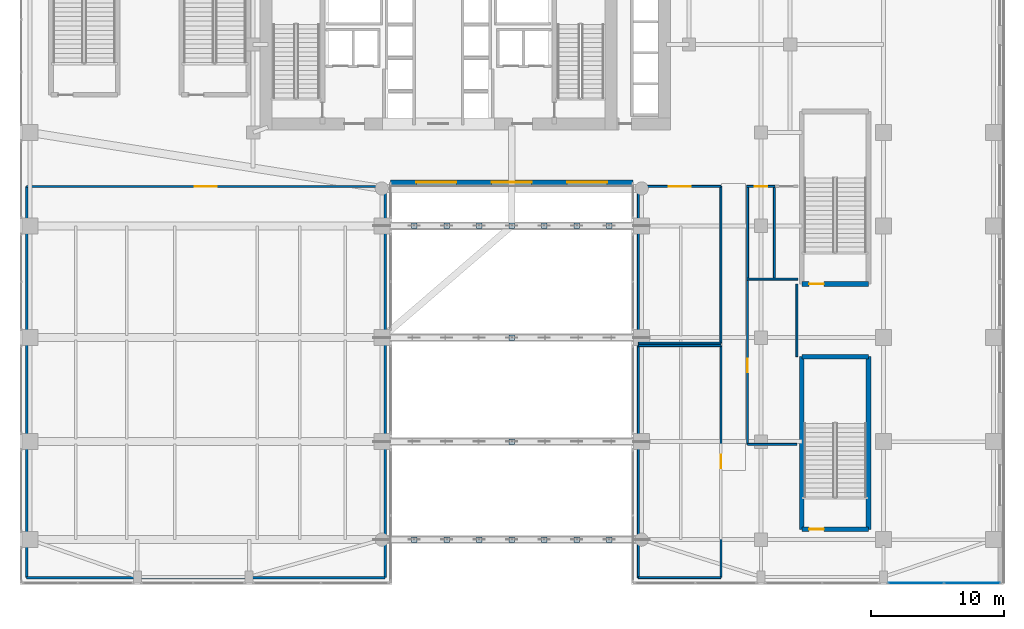
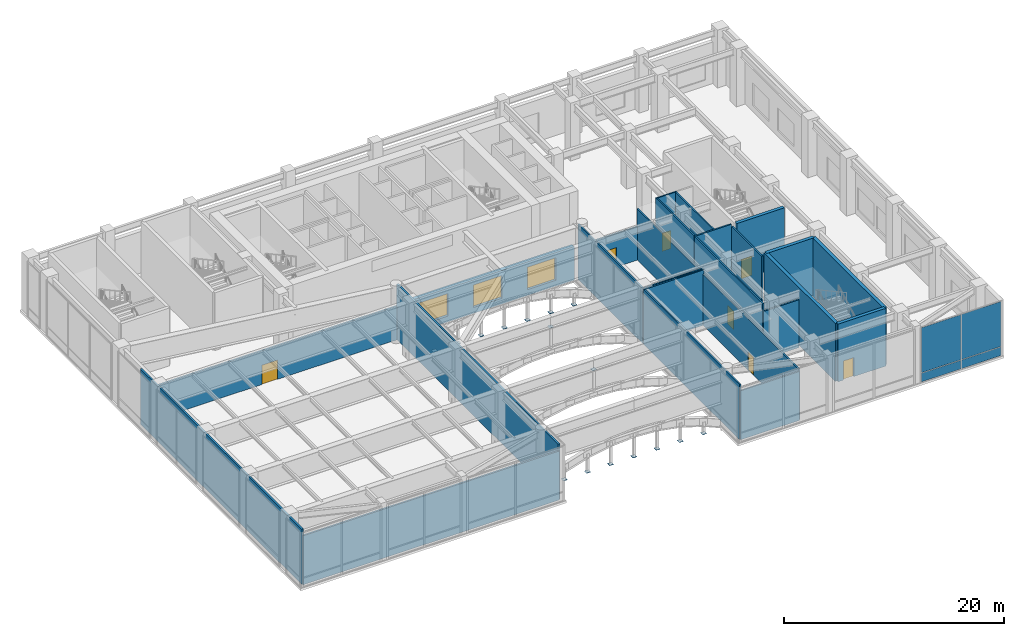
# One storey, part 39 of 50: 25 walls, 20 plates, 7 doors, 3 windows, 10 openings, 1 element without a shape of its own.
"""IFC4 building model written with IfcOpenShell, lengths in metres."""

import ifcopenshell
import ifcopenshell.guid

model = None  # the IFC model being written
_history = None  # IfcOwnerHistory: only IFC2X3 demands one
_inside = {}  # id of a spatial element -> (the spatial element, [elements in it])
_under = {}  # id of a project, library or spatial element -> (it, [spatial elements below it])
_declared = {}  # id of a project -> (the project, [libraries it declares])
_typed = {}  # id of a type object -> (the type object, [elements of that type])
_made_of = {}  # id of a material, layer set ... -> (it, [elements and type objects made of it])


def new_model(schema):
    """Start an empty IFC model of exactly this schema.

    Asked for "IFC4X3", IfcOpenShell would pick the latest addendum, in which some entities
    have other attributes; the version numbers below select the first issue.
    IFC2X3 requires an IfcOwnerHistory on every rooted entity: one is made here for all.
    """
    global model, _history
    if schema == "IFC4X3":
        model = ifcopenshell.file(schema_version=(4, 3, 0, 0))
    else:
        model = ifcopenshell.file(schema=schema)
    _inside.clear()
    _under.clear()
    _declared.clear()
    _typed.clear()
    _made_of.clear()
    _history = None
    if model.schema == "IFC2X3":
        org = make("IfcOrganization", Name="unknown")
        user = make(
            "IfcPersonAndOrganization",
            ThePerson=make("IfcPerson", FamilyName="unknown"),
            TheOrganization=org,
        )
        app = make(
            "IfcApplication",
            ApplicationDeveloper=org,
            Version="unknown",
            ApplicationFullName="unknown",
            ApplicationIdentifier="unknown",
        )
        _history = make(
            "IfcOwnerHistory",
            OwningUser=user,
            OwningApplication=app,
            ChangeAction="ADDED",
            CreationDate=0,
        )
    return model


def make(cls, **values):
    """One entity of the class cls with the attributes given. An attribute that is None is left unset."""
    return model.create_entity(
        cls, **{name: value for name, value in values.items() if value is not None}
    )


def rooted(cls, **values):
    """An entity with a GlobalId (a new one), such as an element, a storey or a relation."""
    return make(cls, GlobalId=ifcopenshell.guid.new(), OwnerHistory=_history, **values)


def si_unit(unit_type, name, prefix=None):
    """IfcSIUnit, for example si_unit("LENGTHUNIT", "METRE", prefix="MILLI")."""
    return make("IfcSIUnit", UnitType=unit_type, Prefix=prefix, Name=name)


def assignment(units):
    """IfcUnitAssignment: the units of a project."""
    return None if units is None else make("IfcUnitAssignment", Units=units)


def point(xyz):
    """IfcCartesianPoint."""
    return None if xyz is None else make("IfcCartesianPoint", Coordinates=xyz)


def direction(xyz):
    """IfcDirection."""
    return None if xyz is None else make("IfcDirection", DirectionRatios=xyz)


def frame(location, z_axis=None, x_axis=None):
    """IfcAxis2Placement3D, a coordinate frame: its origin and axes. An axis left out is left unset."""
    return make(
        "IfcAxis2Placement3D",
        Location=point(location),
        Axis=direction(z_axis),
        RefDirection=direction(x_axis),
    )


def frame_2d(location, x_axis=None):
    """IfcAxis2Placement2D, a coordinate frame in the plane: its origin and x axis."""
    return make(
        "IfcAxis2Placement2D", Location=point(location), RefDirection=direction(x_axis)
    )


def origin():
    """The frame at (0, 0, 0) with its axes left unset."""
    return frame((0.0, 0.0, 0.0))


def origin_2d():
    """The frame at (0, 0) in the plane with its x axis left unset."""
    return frame_2d((0.0, 0.0))


def place(relative_to, where):
    """IfcLocalPlacement: puts the frame where relative to a parent placement (None: the world)."""
    return make(
        "IfcLocalPlacement", PlacementRelTo=relative_to, RelativePlacement=where
    )


def context(
    kind, dimensions, precision=None, world=None, true_north=None, identifier=None
):
    """IfcGeometricRepresentationContext, for example the 3D "Model" context."""
    return make(
        "IfcGeometricRepresentationContext",
        ContextIdentifier=identifier,
        ContextType=kind,
        CoordinateSpaceDimension=dimensions,
        Precision=precision,
        WorldCoordinateSystem=world,
        TrueNorth=true_north,
    )


def subcontext(parent, identifier, kind, view, scale=None):
    """IfcGeometricRepresentationSubContext, for example "Body" below "Model"."""
    return make(
        "IfcGeometricRepresentationSubContext",
        ContextIdentifier=identifier,
        ContextType=kind,
        ParentContext=parent,
        TargetScale=scale,
        TargetView=view,
    )


def project(units=None, contexts=None):
    """IfcProject with its units and contexts."""
    return rooted(
        "IfcProject",
        Name="project",
        RepresentationContexts=contexts,
        UnitsInContext=assignment(units),
    )


def spatial(cls, under=None, at=None, **own):
    """A site, building, storey or space (cls), placed at a placement, below another one or the project."""
    s = rooted(cls, ObjectPlacement=at, **own)
    if under is not None:
        _under.setdefault(under.id(), (under, []))[1].append(s)
    return s


def profile(cls, at=None, kind="AREA", **sizes):
    """A parametric profile (cls). Its sizes go by their IFC names, for example OverallWidth=200.0."""
    return make(cls, ProfileType=kind, Position=at, **sizes)


def rectangle(**sizes):
    """IfcRectangleProfileDef."""
    return profile("IfcRectangleProfileDef", **sizes)


def extrude(swept, where, along, depth):
    """IfcExtrudedAreaSolid: the profile swept, set in the frame where, extruded along a direction by depth."""
    return make(
        "IfcExtrudedAreaSolid",
        SweptArea=swept,
        Position=where,
        ExtrudedDirection=direction(along),
        Depth=depth,
    )


def shape(context_of_items, identifier, shape_type, items):
    """IfcShapeRepresentation: the items that make up one representation, for example the "Body"."""
    return make(
        "IfcShapeRepresentation",
        ContextOfItems=context_of_items,
        RepresentationIdentifier=identifier,
        RepresentationType=shape_type,
        Items=items,
    )


def source(mapping_origin, context_of_items, identifier, shape_type, items):
    """IfcRepresentationMap: a shape defined once, which mapped items show again and again."""
    return make(
        "IfcRepresentationMap",
        MappingOrigin=mapping_origin,
        MappedRepresentation=shape(context_of_items, identifier, shape_type, items),
    )


def transform(
    local_origin,
    x_axis=None,
    y_axis=None,
    z_axis=None,
    scale=None,
    scale2=None,
    scale3=None,
    uniform=True,
):
    """IfcCartesianTransformationOperator3D, or its non-uniform kind. x_axis, y_axis, z_axis: its Axis1, 2, 3."""
    if uniform:
        return make(
            "IfcCartesianTransformationOperator3D",
            Axis1=direction(x_axis),
            Axis2=direction(y_axis),
            LocalOrigin=point(local_origin),
            Scale=scale,
            Axis3=direction(z_axis),
        )
    return make(
        "IfcCartesianTransformationOperator3DnonUniform",
        Axis1=direction(x_axis),
        Axis2=direction(y_axis),
        LocalOrigin=point(local_origin),
        Scale=scale,
        Axis3=direction(z_axis),
        Scale2=scale2,
        Scale3=scale3,
    )


def mapped(mapping_source, mapping_target):
    """IfcMappedItem: shows the shape of a source again, moved by a transform."""
    return make(
        "IfcMappedItem", MappingSource=mapping_source, MappingTarget=mapping_target
    )


def material(Name=None, Category=None):
    """IfcMaterial."""
    return make("IfcMaterial", Name=Name, Category=Category)


def layer(
    of_material, thickness, ventilated=None, Name=None, Category=None, Priority=None
):
    """IfcMaterialLayer: one layer of a wall or slab, of a material (None: an air gap)."""
    return make(
        "IfcMaterialLayer",
        Material=of_material,
        LayerThickness=thickness,
        IsVentilated=ventilated,
        Name=Name,
        Category=Category,
        Priority=Priority,
    )


def layer_set(layers, Name=None):
    """IfcMaterialLayerSet."""
    return make("IfcMaterialLayerSet", MaterialLayers=layers, LayerSetName=Name)


def made_of(thing, what):
    """Note that an element or type object is made of a material, layer set ...; save() writes the relation."""
    if what is not None:
        _made_of.setdefault(what.id(), (what, []))[1].append(thing)
    return thing


def type_object(cls, material=None, **own):
    """A type object (cls), such as IfcWallType, which elements share."""
    return made_of(rooted(cls, **own), material)


def type_shapes(of_type, sources):
    """Give a type object the sources (RepresentationMaps) that its elements show as mapped items."""
    of_type.RepresentationMaps = sources


def element(
    cls,
    number,
    at=None,
    inside=None,
    cuts=None,
    type_object=None,
    material=None,
    context=None,
    identifier="Body",
    shape_type=None,
    held_by="IfcProductDefinitionShape",
    body=None,
    shapes=None,
    **own,
):
    """One element of the class cls, such as IfcWall. Its Tag is "e" and its number.

    at: its placement. inside: the storey or other place that contains it. cuts: it is an
    opening in that element (IfcRelVoidsElement). A single representation is given by context,
    identifier, shape_type and body (its items); several are given by shapes. held_by: the class
    of the entity that holds the representations. save() writes the other relations.
    """
    e = rooted(cls, Tag="e%d" % number, ObjectPlacement=at, **own)
    if body is not None:
        shapes = [shape(context, identifier, shape_type, body)]
    if shapes is not None:
        e.Representation = make(held_by, Representations=shapes)
    if inside is not None:
        _inside.setdefault(inside.id(), (inside, []))[1].append(e)
    if cuts is not None:
        rooted(
            "IfcRelVoidsElement", RelatingBuildingElement=cuts, RelatedOpeningElement=e
        )
    if type_object is not None:
        _typed.setdefault(type_object.id(), (type_object, []))[1].append(e)
    return made_of(e, material)


def fill(opening, filler):
    """IfcRelFillsElement: the door or window that sits in an opening."""
    return rooted(
        "IfcRelFillsElement",
        RelatingOpeningElement=opening,
        RelatedBuildingElement=filler,
    )


def aggregate(whole, parts):
    """IfcRelAggregates: a whole, such as a stair, and the parts it consists of."""
    return rooted("IfcRelAggregates", RelatingObject=whole, RelatedObjects=parts)


def save(model, path):
    """Write the relations noted so far, then the file.

    IfcRelAggregates (storeys below a building ...), IfcRelContainedInSpatialStructure (elements
    in a storey), IfcRelDefinesByType, IfcRelAssociatesMaterial and IfcRelDeclares: one each for
    every whole, place, type object, material and project.
    """
    for whole, parts in _under.values():
        aggregate(whole, parts)
    for where, things in _inside.values():
        rooted(
            "IfcRelContainedInSpatialStructure",
            RelatedElements=things,
            RelatingStructure=where,
        )
    for kind, things in _typed.values():
        rooted("IfcRelDefinesByType", RelatedObjects=things, RelatingType=kind)
    for what, things in _made_of.values():
        rooted("IfcRelAssociatesMaterial", RelatedObjects=things, RelatingMaterial=what)
    for by, libraries in _declared.values():
        rooted("IfcRelDeclares", RelatingContext=by, RelatedDefinitions=libraries)
    model.write(path)


model = new_model("IFC4")

# Units and contexts
model_context = context("Model", 3, precision=1e-05, world=origin(), true_north=direction((0.0, 1.0)))
body_context = subcontext(model_context, "Body", "Model", "MODEL_VIEW")
ifc_project = project(units=[si_unit("LENGTHUNIT", "METRE"), si_unit("AREAUNIT", "SQUARE_METRE"), si_unit("VOLUMEUNIT", "CUBIC_METRE"), si_unit("PLANEANGLEUNIT", "RADIAN"), si_unit("MASSUNIT", "GRAM", prefix="KILO")], contexts=[model_context])

# Site, building, storey
site_placement = place(None, origin())
site = spatial("IfcSite", under=ifc_project, at=site_placement, CompositionType="ELEMENT")
building_placement = place(site_placement, origin())
building = spatial("IfcBuilding", under=site, at=building_placement, Name="Tolvann Quenvar Hotel", CompositionType="ELEMENT")
storey_placement = place(building_placement, frame((0.0, 0.0, 16.0)))
storey = spatial("IfcBuildingStorey", under=building, at=storey_placement, Name="L03", CompositionType="ELEMENT", Elevation=16.0)

# Plates
ifc_material_1 = material(Name="Steel Grade 350", Category="steel")
ifc_layer_1 = layer(ifc_material_1, 0.02490234375)
ifc_layer_set_1 = layer_set([ifc_layer_1], Name="Steel Grade 350")
plate_type_1 = type_object("IfcPlateType", Name="PLT_ENDCAP_25", PredefinedType="SHEET", material=ifc_layer_set_1)
shared_shape_1 = source(origin(), body_context, "Body", "SweptSolid", [
    extrude(rectangle(XDim=0.419921875, YDim=0.419921875, at=origin_2d()), origin(), (0.0, 0.0, 1.0), 0.02490234375),
])
type_shapes(plate_type_1, [shared_shape_1])
for number, where, z_axis, x_axis, name in (
    (1, (21.1875, 0.85009765625, -0.2724609375), (0.0, 0.0, 1.0), (1.0, 0.0, 0.0), "Arch Spandrel Post Top Cap Plate (F1-B1)"),
    (2, (23.625, 0.85009765625, -0.2724609375), (0.0, 0.0, 1.0), (1.0, 0.0, 0.0), "Arch Spandrel Post Top Cap Plate (F1-B2)"),
    (3, (26.0625, 0.85009765625, -0.2724609375), (0.0, 0.0, 1.0), (1.0, 0.0, 0.0), "Arch Spandrel Post Top Cap Plate (F1-B3)"),
    (4, (28.5, 0.85009765625, -0.2724609375), (0.0, 0.0, 1.0), (1.0, 0.0, 0.0), "Arch Spandrel Post Top Cap Plate (F1-B4)"),
    (5, (30.9375, 0.85009765625, -0.2724609375), (0.0, 0.0, 1.0), (1.0, 0.0, 0.0), "Arch Spandrel Post Top Cap Plate (F1-B5)"),
    (6, (33.375, 0.85009765625, -0.2724609375), (0.0, 0.0, 1.0), (1.0, 0.0, 0.0), "Arch Spandrel Post Top Cap Plate (F1-B6)"),
    (7, (35.8125, 0.85009765625, -0.2724609375), (0.0, 0.0, 1.0), (1.0, 0.0, 0.0), "Arch Spandrel Post Top Cap Plate (F1-B7)"),
    (8, (28.5, 8.199951171875, 4.927490234375), (0.0, 0.0, 1.0), (1.0, 0.0, 0.0), "Arch Crown Post Top Plate (F2)"),
    (9, (28.5, 16.0, 4.927490234375), (0.0, 0.0, 1.0), (1.0, 0.0, 0.0), "Arch Crown Post Top Plate (F3)"),
    (10, (21.1875, 24.39990234375, -0.2724609375), (0.0, 0.0, 1.0), (1.0, 0.0, 0.0), "Arch Spandrel Post Top Cap Plate (F4-B1)"),
    (11, (23.625, 24.39990234375, -0.2724609375), (0.0, 0.0, 1.0), (1.0, 0.0, 0.0), "Arch Spandrel Post Top Cap Plate (F4-B2)"),
    (12, (26.0625, 24.39990234375, -0.2724609375), (0.0, 0.0, 1.0), (1.0, 0.0, 0.0), "Arch Spandrel Post Top Cap Plate (F4-B3)"),
    (13, (28.5, 24.39990234375, -0.2724609375), (0.0, 0.0, 1.0), (1.0, 0.0, 0.0), "Arch Spandrel Post Top Cap Plate (F4-B4)"),
    (14, (30.9375, 24.39990234375, -0.2724609375), (0.0, 0.0, 1.0), (1.0, 0.0, 0.0), "Arch Spandrel Post Top Cap Plate (F4-B5)"),
    (15, (33.375, 24.39990234375, -0.2724609375), (0.0, 0.0, 1.0), (1.0, 0.0, 0.0), "Arch Spandrel Post Top Cap Plate (F4-B6)"),
    (16, (35.8125, 24.39990234375, -0.2724609375), (0.0, 0.0, 1.0), (1.0, 0.0, 0.0), "Arch Spandrel Post Top Cap Plate (F4-B7)"),
):
    element("IfcPlate", number, at=place(storey_placement, frame(where, z_axis=z_axis, x_axis=x_axis)), inside=storey, type_object=plate_type_1, Name=name, PredefinedType="SHEET", context=body_context, shape_type="MappedRepresentation", body=[
        mapped(shared_shape_1, transform((0.0, 0.0, 0.0), x_axis=(1.0, 0.0, 0.0), y_axis=(0.0, 1.0, 0.0), z_axis=(0.0, 0.0, 1.0), scale=1.0)),
    ])

# Curtain wall, plates
ifc_material_2 = material(Name="Thermally broken anodised architectural aluminium 6063-T6 and laminated low-E glass", Category="aluminium")
ifc_layer_2 = layer(ifc_material_2, 0.179931640625)
ifc_layer_set_2 = layer_set([ifc_layer_2], Name="Thermally broken anodised architectural aluminium 6063-T6 and laminated low-E glass")
curtain_wall_type = type_object("IfcCurtainWallType", Name="CW_SYS_BALL_02", PredefinedType="USERDEFINED", material=ifc_layer_set_2)
curtain_wall_placement = place(storey_placement, origin())
curtain_wall = element("IfcCurtainWall", 17, at=curtain_wall_placement, inside=storey, type_object=curtain_wall_type, Name="Curtain Wall CW-BALL-02 (CWR-L03-E04-S3)", ObjectType="UNITISED CURTAIN WALL", PredefinedType="USERDEFINED")
ifc_material_3 = material(Name="Low-iron laminated double glazing with solar-control coating", Category="glass")
ifc_layer_3 = layer(ifc_material_3, 0.028076171875)
ifc_layer_set_3 = layer_set([ifc_layer_3], Name="Low-iron laminated double glazing with solar-control coating")
plate_type_2 = type_object("IfcPlateType", Name="CW_PAN_VISION_28", PredefinedType="CURTAIN_PANEL", material=ifc_layer_set_3)
shared_shape_2 = source(origin(), body_context, "Body", "SweptSolid", [
    extrude(rectangle(XDim=4.137939453125, YDim=0.028076171875, at=origin_2d()), origin(), (0.0, 0.0, 1.0), 0.9599609375),
])
plate_1_placement = place(storey_placement, frame((58.843017578125, -2.409912109375, 0.06005859375), z_axis=(0.0, 0.0, 1.0), x_axis=(1.0, 0.0, 0.0)))
plate_1 = element("IfcPlate", 18, at=plate_1_placement, type_object=plate_type_2, Name="CW-BALL-02 panel 1.1", PredefinedType="CURTAIN_PANEL", context=body_context, shape_type="MappedRepresentation", body=[
    mapped(shared_shape_2, transform((0.0, 0.0, 0.0), x_axis=(1.0, 0.0, 0.0), y_axis=(0.0, 1.0, 0.0), z_axis=(0.0, 0.0, 1.0), scale=1.0)),
])
plate_2_placement = place(storey_placement, frame((63.051025390625, -2.409912109375, 0.06005859375), z_axis=(0.0, 0.0, 1.0), x_axis=(1.0, 0.0, 0.0)))
plate_2 = element("IfcPlate", 19, at=plate_2_placement, type_object=plate_type_2, Name="CW-BALL-02 panel 2.1", PredefinedType="CURTAIN_PANEL", context=body_context, shape_type="MappedRepresentation", body=[
    mapped(shared_shape_2, transform((0.0, 0.0, 0.0), x_axis=(1.0, 0.0, 0.0), y_axis=(0.0, 1.0, 0.0), z_axis=(0.0, 0.0, 1.0), scale=1.0)),
])
shared_shape_3 = source(origin(), body_context, "Body", "SweptSolid", [
    extrude(rectangle(XDim=4.137939453125, YDim=0.028076171875, at=origin_2d()), origin(), (0.0, 0.0, 1.0), 5.0),
])
type_shapes(plate_type_2, [shared_shape_2, shared_shape_3])
plate_3_placement = place(storey_placement, frame((58.843017578125, -2.409912109375, 1.080078125), z_axis=(0.0, 0.0, 1.0), x_axis=(1.0, 0.0, 0.0)))
plate_3 = element("IfcPlate", 20, at=plate_3_placement, type_object=plate_type_2, Name="CW-BALL-02 panel 1.2", PredefinedType="CURTAIN_PANEL", context=body_context, shape_type="MappedRepresentation", body=[
    mapped(shared_shape_3, transform((0.0, 0.0, 0.0), x_axis=(1.0, 0.0, 0.0), y_axis=(0.0, 1.0, 0.0), z_axis=(0.0, 0.0, 1.0), scale=1.0)),
])
plate_4_placement = place(storey_placement, frame((63.051025390625, -2.409912109375, 1.080078125), z_axis=(0.0, 0.0, 1.0), x_axis=(1.0, 0.0, 0.0)))
plate_4 = element("IfcPlate", 21, at=plate_4_placement, type_object=plate_type_2, Name="CW-BALL-02 panel 2.2", PredefinedType="CURTAIN_PANEL", context=body_context, shape_type="MappedRepresentation", body=[
    mapped(shared_shape_3, transform((0.0, 0.0, 0.0), x_axis=(1.0, 0.0, 0.0), y_axis=(0.0, 1.0, 0.0), z_axis=(0.0, 0.0, 1.0), scale=1.0)),
])
aggregate(curtain_wall, [plate_1, plate_3, plate_2, plate_4])

# Wall, opening, door
ifc_material_4 = material(Name="Concrete S65 (65 MPa)", Category="concrete")
ifc_layer_4 = layer(ifc_material_4, 0.35009765625)
ifc_layer_set_4 = layer_set([ifc_layer_4], Name="Concrete S65 (65 MPa)")
wall_type_1 = type_object("IfcWallType", Name="WALL_CORE_INT_350", PredefinedType="SHEAR", material=ifc_layer_set_4)
wall_1_placement = place(storey_placement, frame((50.27490234375, 1.625, 0.0), z_axis=(0.0, 0.0, 1.0), x_axis=(1.0, 0.0, 0.0)))
wall_1 = element("IfcWall", 22, at=wall_1_placement, inside=storey, type_object=wall_type_1, Name="Stairwell ST-P3 Structural Shaft Wall S (L03)", PredefinedType="SHEAR", context=body_context, shape_type="SweptSolid", body=[
    extrude(rectangle(XDim=5.0, YDim=0.35009765625, at=frame_2d((2.5, 0.0))), origin(), (0.0, 0.0, 1.0), 6.39990234375),
])
opening_1_placement = place(wall_1_placement, frame((0.550048828125, 0.0, 0.0)))
opening_1 = element("IfcOpeningElement", 23, at=opening_1_placement, cuts=wall_1, Name="Opening FD-120", PredefinedType="OPENING", context=body_context, shape_type="SweptSolid", body=[
    extrude(rectangle(XDim=1.10009765625, YDim=2.1201171875, at=frame_2d((0.550048828125, 1.06005859375))), frame((0.0, 0.18505859375, 0.0), z_axis=(0.0, -1.0, 0.0), x_axis=(1.0, 0.0, 0.0)), (0.0, 0.0, 1.0), 0.3701171875),
])
ifc_material_5 = material(Name="Pressed galvanised steel fire-rated door set", Category="steel")
door_type_1 = type_object("IfcDoorType", Name="DOOR_FIRE_STAIR_1100", OperationType="NOTDEFINED", PredefinedType="DOOR", material=ifc_material_5)
shared_shape_4 = source(origin(), body_context, "Body", "SweptSolid", [
    extrude(rectangle(XDim=1.10009765625, YDim=2.1201171875, at=frame_2d((0.550048828125, 1.06005859375))), frame((0.0, 0.02490234375, 0.0), z_axis=(0.0, -1.0, 0.0), x_axis=(1.0, 0.0, 0.0)), (0.0, 0.0, 1.0), 0.050048828125),
])
type_shapes(door_type_1, [shared_shape_4])
door_1_placement = place(opening_1_placement, origin())
door_1 = element("IfcDoor", 24, at=door_1_placement, inside=storey, type_object=door_type_1, Name="Exit Stair ST-P3 Fire Door (L03)", OperationType="SINGLE_SWING_RIGHT", OverallHeight=2.1201171875, OverallWidth=1.10009765625, PredefinedType="DOOR", context=body_context, shape_type="MappedRepresentation", body=[
    mapped(shared_shape_4, transform((0.0, 0.0, 0.0), x_axis=(1.0, 0.0, 0.0), y_axis=(0.0, 1.0, 0.0), z_axis=(0.0, 0.0, 1.0), scale=1.0)),
])
fill(opening_1, door_1)

# Walls
wall_2_placement = place(storey_placement, frame((55.27490234375, 1.625, 0.0), z_axis=(0.0, 0.0, 1.0), x_axis=(0.0, 1.0, 0.0)))
element("IfcWall", 25, at=wall_2_placement, inside=storey, type_object=wall_type_1, Name="Stairwell ST-P3 Structural Shaft Wall E (L03)", PredefinedType="SHEAR", context=body_context, shape_type="SweptSolid", body=[
    extrude(rectangle(XDim=12.949951171875, YDim=0.35009765625, at=frame_2d((6.47509765625, 0.0))), origin(), (0.0, 0.0, 1.0), 6.39990234375),
])
wall_3_placement = place(storey_placement, frame((55.27490234375, 14.574951171875, 0.0), z_axis=(0.0, 0.0, 1.0), x_axis=(-1.0, 0.0, 0.0)))
element("IfcWall", 26, at=wall_3_placement, inside=storey, type_object=wall_type_1, Name="Stairwell ST-P3 Structural Shaft Wall N (L03)", PredefinedType="SHEAR", context=body_context, shape_type="SweptSolid", body=[
    extrude(rectangle(XDim=5.0, YDim=0.35009765625, at=frame_2d((2.5, 0.0))), origin(), (0.0, 0.0, 1.0), 6.39990234375),
])
wall_4_placement = place(storey_placement, frame((50.27490234375, 14.574951171875, 0.0), z_axis=(0.0, 0.0, 1.0), x_axis=(0.0, -1.0, 0.0)))
element("IfcWall", 27, at=wall_4_placement, inside=storey, type_object=wall_type_1, Name="Stairwell ST-P3 Structural Shaft Wall W (L03)", PredefinedType="SHEAR", context=body_context, shape_type="SweptSolid", body=[
    extrude(rectangle(XDim=12.949951171875, YDim=0.35009765625, at=frame_2d((6.47509765625, 0.0))), origin(), (0.0, 0.0, 1.0), 6.39990234375),
])

# Wall, opening, door
wall_5_placement = place(storey_placement, frame((50.27490234375, 20.02490234375, 0.0), z_axis=(0.0, 0.0, 1.0), x_axis=(1.0, 0.0, 0.0)))
wall_5 = element("IfcWall", 28, at=wall_5_placement, inside=storey, type_object=wall_type_1, Name="Stairwell ST-P4 Structural Shaft Wall S (L03)", PredefinedType="SHEAR", context=body_context, shape_type="SweptSolid", body=[
    extrude(rectangle(XDim=5.0, YDim=0.35009765625, at=frame_2d((2.5, 0.0))), origin(), (0.0, 0.0, 1.0), 6.39990234375),
])
opening_2_placement = place(wall_5_placement, frame((0.550048828125, 0.0, 0.0)))
opening_2 = element("IfcOpeningElement", 29, at=opening_2_placement, cuts=wall_5, Name="Opening FD-120", PredefinedType="OPENING", context=body_context, shape_type="SweptSolid", body=[
    extrude(rectangle(XDim=1.10009765625, YDim=2.1201171875, at=frame_2d((0.550048828125, 1.06005859375))), frame((0.0, 0.18505859375, 0.0), z_axis=(0.0, -1.0, 0.0), x_axis=(1.0, 0.0, 0.0)), (0.0, 0.0, 1.0), 0.3701171875),
])
door_2_placement = place(opening_2_placement, origin())
door_2 = element("IfcDoor", 30, at=door_2_placement, inside=storey, type_object=door_type_1, Name="Exit Stair ST-P4 Fire Door (L03)", OperationType="SINGLE_SWING_LEFT", OverallHeight=2.1201171875, OverallWidth=1.10009765625, PredefinedType="DOOR", context=body_context, shape_type="MappedRepresentation", body=[
    mapped(shared_shape_4, transform((0.0, 0.0, 0.0), x_axis=(1.0, 0.0, 0.0), y_axis=(0.0, 1.0, 0.0), z_axis=(0.0, 0.0, 1.0), scale=1.0)),
])
fill(opening_2, door_2)

# Wall, openings, windows
ifc_material_6 = material(Name="Kiln-fired red and buff architectural clay brickwork and terracotta masonry", Category="masonry")
ifc_layer_5 = layer(ifc_material_6, 0.419921875)
ifc_layer_set_5 = layer_set([ifc_layer_5], Name="Kiln-fired red and buff architectural clay brickwork and terracotta masonry")
wall_type_2 = type_object("IfcWallType", Name="WALL_EXT_POD_420", PredefinedType="SOLIDWALL", material=ifc_layer_set_5)
wall_6_placement = place(storey_placement, frame((19.409912109375, 27.610107421875, 0.0), z_axis=(0.0, 0.0, 1.0), x_axis=(1.0, 0.0, 0.0)))
wall_6 = element("IfcWall", 31, at=wall_6_placement, inside=storey, type_object=wall_type_2, Name="Exterior Chicago Brick Wall L03-E02", PredefinedType="SOLIDWALL", context=body_context, shape_type="SweptSolid", body=[
    extrude(rectangle(XDim=18.18017578125, YDim=0.419921875, at=frame_2d((9.090087890625, 0.0))), origin(), (0.0, 0.0, 1.0), 3.72998046875),
])
opening_3_placement = place(wall_6_placement, frame((1.929931640625, 0.0, 0.64990234375)))
opening_3 = element("IfcOpeningElement", 32, at=opening_3_placement, cuts=wall_6, Name="Opening W-05", PredefinedType="OPENING", context=body_context, shape_type="SweptSolid", body=[
    extrude(rectangle(XDim=3.0, YDim=2.5, at=frame_2d((1.5, 1.25))), frame((0.0, 0.219970703125, 0.0), z_axis=(0.0, -1.0, 0.0), x_axis=(1.0, 0.0, 0.0)), (0.0, 0.0, 1.0), 0.43994140625),
])
opening_4_placement = place(wall_6_placement, frame((7.590087890625, 0.0, 0.64990234375)))
opening_4 = element("IfcOpeningElement", 33, at=opening_4_placement, cuts=wall_6, Name="Opening W-05", PredefinedType="OPENING", context=body_context, shape_type="SweptSolid", body=[
    extrude(rectangle(XDim=3.0, YDim=2.5, at=frame_2d((1.5, 1.25))), frame((0.0, 0.219970703125, 0.0), z_axis=(0.0, -1.0, 0.0), x_axis=(1.0, 0.0, 0.0)), (0.0, 0.0, 1.0), 0.43994140625),
])
opening_5_placement = place(wall_6_placement, frame((13.25, 0.0, 0.64990234375)))
opening_5 = element("IfcOpeningElement", 34, at=opening_5_placement, cuts=wall_6, Name="Opening W-05", PredefinedType="OPENING", context=body_context, shape_type="SweptSolid", body=[
    extrude(rectangle(XDim=3.0, YDim=2.5, at=frame_2d((1.5, 1.25))), frame((0.0, 0.219970703125, 0.0), z_axis=(0.0, -1.0, 0.0), x_axis=(1.0, 0.0, 0.0)), (0.0, 0.0, 1.0), 0.43994140625),
])
ifc_material_7 = material(Name="Thermally broken bronze-anodised aluminium frame with double low-E glazing", Category="aluminium")
window_type = type_object("IfcWindowType", Name="WIN_POD_3000x2600", PartitioningType="TRIPLE_PANEL_HORIZONTAL", PredefinedType="WINDOW", material=ifc_material_7)
shared_shape_5 = source(origin(), body_context, "Body", "SweptSolid", [
    extrude(rectangle(XDim=3.0, YDim=2.5, at=frame_2d((1.5, 1.25))), frame((0.0, 0.090087890625, 0.0), z_axis=(0.0, -1.0, 0.0), x_axis=(1.0, 0.0, 0.0)), (0.0, 0.0, 1.0), 0.06005859375),
])
type_shapes(window_type, [shared_shape_5])
window_1_placement = place(opening_3_placement, origin())
window_1 = element("IfcWindow", 35, at=window_1_placement, inside=storey, type_object=window_type, Name="Chicago Window W-05 (EW-L03-E02-W01)", OverallHeight=2.5, OverallWidth=3.0, PartitioningType="TRIPLE_PANEL_HORIZONTAL", PredefinedType="WINDOW", context=body_context, shape_type="MappedRepresentation", body=[
    mapped(shared_shape_5, transform((0.0, 0.0, 0.0), x_axis=(1.0, 0.0, 0.0), y_axis=(0.0, 1.0, 0.0), z_axis=(0.0, 0.0, 1.0), scale=1.0)),
])
fill(opening_3, window_1)
window_2_placement = place(opening_4_placement, origin())
window_2 = element("IfcWindow", 36, at=window_2_placement, inside=storey, type_object=window_type, Name="Chicago Window W-05 (EW-L03-E02-W02)", OverallHeight=2.5, OverallWidth=3.0, PartitioningType="TRIPLE_PANEL_HORIZONTAL", PredefinedType="WINDOW", context=body_context, shape_type="MappedRepresentation", body=[
    mapped(shared_shape_5, transform((0.0, 0.0, 0.0), x_axis=(1.0, 0.0, 0.0), y_axis=(0.0, 1.0, 0.0), z_axis=(0.0, 0.0, 1.0), scale=1.0)),
])
fill(opening_4, window_2)
window_3_placement = place(opening_5_placement, origin())
window_3 = element("IfcWindow", 37, at=window_3_placement, inside=storey, type_object=window_type, Name="Chicago Window W-05 (EW-L03-E02-W03)", OverallHeight=2.5, OverallWidth=3.0, PartitioningType="TRIPLE_PANEL_HORIZONTAL", PredefinedType="WINDOW", context=body_context, shape_type="MappedRepresentation", body=[
    mapped(shared_shape_5, transform((0.0, 0.0, 0.0), x_axis=(1.0, 0.0, 0.0), y_axis=(0.0, 1.0, 0.0), z_axis=(0.0, 0.0, 1.0), scale=1.0)),
])
fill(opening_5, window_3)

# Wall
ifc_material_8 = material(Name="Acoustic twin-stud fire-rated gypsum plasterboard partition")
ifc_layer_6 = layer(ifc_material_8, 0.179931640625)
ifc_layer_set_6 = layer_set([ifc_layer_6], Name="Acoustic twin-stud fire-rated gypsum plasterboard partition")
wall_type_3 = type_object("IfcWallType", Name="WALL_PART_ACOUSTIC_180", PredefinedType="PARTITIONING", material=ifc_layer_set_6)
wall_7_placement = place(storey_placement, frame((-7.89990234375, -2.0, 0.0), z_axis=(0.0, 0.0, 1.0), x_axis=(1.0, 0.0, 0.0)))
element("IfcWall", 38, at=wall_7_placement, inside=storey, type_object=wall_type_3, Name="Interior Partition PT-SPC-L03-BALL-S", PredefinedType="PARTITIONING", context=body_context, shape_type="SweptSolid", body=[
    extrude(rectangle(XDim=26.89990234375, YDim=0.179931640625, at=frame_2d((13.449951171875, 0.0))), origin(), (0.0, 0.0, 1.0), 5.429931640625),
])

# Wall, opening, door
wall_8_placement = place(storey_placement, frame((-7.89990234375, 27.35009765625, 0.0), z_axis=(0.0, 0.0, 1.0), x_axis=(1.0, 0.0, 0.0)))
wall_8 = element("IfcWall", 39, at=wall_8_placement, inside=storey, type_object=wall_type_3, Name="Interior Partition PT-SPC-L03-BALL-N", PredefinedType="PARTITIONING", context=body_context, shape_type="SweptSolid", body=[
    extrude(rectangle(XDim=26.89990234375, YDim=0.179931640625, at=frame_2d((13.449951171875, 0.0))), origin(), (0.0, 0.0, 1.0), 3.72998046875),
])
opening_6_placement = place(wall_8_placement, frame((12.625, 0.0, 0.0)))
opening_6 = element("IfcOpeningElement", 40, at=opening_6_placement, cuts=wall_8, Name="Opening AD-01", PredefinedType="OPENING", context=body_context, shape_type="SweptSolid", body=[
    extrude(rectangle(XDim=1.64990234375, YDim=2.14990234375, at=frame_2d((0.824951171875, 1.074951171875))), frame((0.0, 0.10009765625, 0.0), z_axis=(0.0, -1.0, 0.0), x_axis=(1.0, 0.0, 0.0)), (0.0, 0.0, 1.0), 0.199951171875),
])
ifc_material_9 = material(Name="Solid-core American oak acoustic fire door leaf in steel frame", Category="steel")
door_type_2 = type_object("IfcDoorType", Name="DOOR_SALON_1650", OperationType="NOTDEFINED", PredefinedType="DOOR", material=ifc_material_9)
shared_shape_6 = source(origin(), body_context, "Body", "SweptSolid", [
    extrude(rectangle(XDim=1.64990234375, YDim=2.14990234375, at=frame_2d((0.824951171875, 1.074951171875))), frame((0.0, 0.02490234375, 0.0), z_axis=(0.0, -1.0, 0.0), x_axis=(1.0, 0.0, 0.0)), (0.0, 0.0, 1.0), 0.050048828125),
])
type_shapes(door_type_2, [shared_shape_6])
door_3_placement = place(opening_6_placement, origin())
door_3 = element("IfcDoor", 41, at=door_3_placement, inside=storey, type_object=door_type_2, Name="Interior Door DOOR-SPC-L03-BALL", OperationType="DOUBLE_DOOR_SINGLE_SWING", OverallHeight=2.14990234375, OverallWidth=1.64990234375, PredefinedType="DOOR", context=body_context, shape_type="MappedRepresentation", body=[
    mapped(shared_shape_6, transform((0.0, 0.0, 0.0), x_axis=(1.0, 0.0, 0.0), y_axis=(0.0, 1.0, 0.0), z_axis=(0.0, 0.0, 1.0), scale=1.0)),
])
fill(opening_6, door_3)

# Walls
for number, where, z_axis, x_axis, name in (
    (42, (-7.89990234375, -2.0, 0.0), (0.0, 0.0, 1.0), (0.0, 1.0, 0.0), "Interior Partition PT-SPC-L03-BALL-W"),
    (43, (19.0, -2.0, 0.0), (0.0, 0.0, 1.0), (0.0, 1.0, 0.0), "Interior Partition PT-SPC-L03-BALL-E"),
):
    element("IfcWall", number, at=place(storey_placement, frame(where, z_axis=z_axis, x_axis=x_axis)), inside=storey, type_object=wall_type_3, Name=name, PredefinedType="PARTITIONING", context=body_context, shape_type="SweptSolid", body=[
        extrude(rectangle(XDim=29.35009765625, YDim=0.179931640625, at=frame_2d((14.675048828125, 0.0))), origin(), (0.0, 0.0, 1.0), 6.139892578125),
    ])
ifc_layer_7 = layer(ifc_material_8, 0.14990234375)
ifc_layer_set_7 = layer_set([ifc_layer_7], Name="Acoustic twin-stud fire-rated gypsum plasterboard partition")
wall_type_4 = type_object("IfcWallType", Name="WALL_PART_SUITE_150", PredefinedType="PARTITIONING", material=ifc_layer_set_7)
wall_9_placement = place(storey_placement, frame((38.0, -2.0, 0.0), z_axis=(0.0, 0.0, 1.0), x_axis=(1.0, 0.0, 0.0)))
element("IfcWall", 44, at=wall_9_placement, inside=storey, type_object=wall_type_4, Name="Interior Partition PT-SPC-L03-BKIT-S", PredefinedType="PARTITIONING", context=body_context, shape_type="SweptSolid", body=[
    extrude(rectangle(XDim=6.199951171875, YDim=0.14990234375, at=frame_2d((3.10009765625, 0.0))), origin(), (0.0, 0.0, 1.0), 5.429931640625),
])
wall_10_placement = place(storey_placement, frame((38.0, 15.39990234375, 0.0), z_axis=(0.0, 0.0, 1.0), x_axis=(1.0, 0.0, 0.0)))
element("IfcWall", 45, at=wall_10_placement, inside=storey, type_object=wall_type_4, Name="Interior Partition PT-SPC-L03-BKIT-N", PredefinedType="PARTITIONING", context=body_context, shape_type="SweptSolid", body=[
    extrude(rectangle(XDim=6.199951171875, YDim=0.14990234375, at=frame_2d((3.10009765625, 0.0))), origin(), (0.0, 0.0, 1.0), 6.139892578125),
])
wall_11_placement = place(storey_placement, frame((38.0, -2.0, 0.0), z_axis=(0.0, 0.0, 1.0), x_axis=(0.0, 1.0, 0.0)))
element("IfcWall", 46, at=wall_11_placement, inside=storey, type_object=wall_type_4, Name="Interior Partition PT-SPC-L03-BKIT-W", PredefinedType="PARTITIONING", context=body_context, shape_type="SweptSolid", body=[
    extrude(rectangle(XDim=17.39990234375, YDim=0.14990234375, at=frame_2d((8.699951171875, 0.0))), origin(), (0.0, 0.0, 1.0), 6.139892578125),
])

# Wall, opening, door
wall_12_placement = place(storey_placement, frame((44.199951171875, -2.0, 0.0), z_axis=(0.0, 0.0, 1.0), x_axis=(0.0, 1.0, 0.0)))
wall_12 = element("IfcWall", 47, at=wall_12_placement, inside=storey, type_object=wall_type_4, Name="Interior Partition PT-SPC-L03-BKIT-E", PredefinedType="PARTITIONING", context=body_context, shape_type="SweptSolid", body=[
    extrude(rectangle(XDim=17.39990234375, YDim=0.14990234375, at=frame_2d((8.699951171875, 0.0))), origin(), (0.0, 0.0, 1.0), 5.676025390625),
])
opening_7_placement = place(wall_12_placement, frame((8.18994140625, 0.0, 0.0)))
opening_7 = element("IfcOpeningElement", 48, at=opening_7_placement, cuts=wall_12, Name="Opening HD-01", PredefinedType="OPENING", context=body_context, shape_type="SweptSolid", body=[
    extrude(rectangle(XDim=1.02001953125, YDim=2.030029296875, at=frame_2d((0.510009765625, 1.01513671875))), frame((0.0, 0.0849609375, 0.0), z_axis=(0.0, -1.0, 0.0), x_axis=(1.0, 0.0, 0.0)), (0.0, 0.0, 1.0), 0.169921875),
])
door_type_3 = type_object("IfcDoorType", Name="DOOR_BOH_1020", OperationType="NOTDEFINED", PredefinedType="DOOR", material=ifc_material_5)
shared_shape_7 = source(origin(), body_context, "Body", "SweptSolid", [
    extrude(rectangle(XDim=1.02001953125, YDim=2.030029296875, at=frame_2d((0.510009765625, 1.01513671875))), frame((0.0, 0.02490234375, 0.0), z_axis=(0.0, -1.0, 0.0), x_axis=(1.0, 0.0, 0.0)), (0.0, 0.0, 1.0), 0.050048828125),
])
type_shapes(door_type_3, [shared_shape_7])
door_4_placement = place(opening_7_placement, origin())
door_4 = element("IfcDoor", 49, at=door_4_placement, inside=storey, type_object=door_type_3, Name="Interior Door DOOR-SPC-L03-BKIT", OperationType="SINGLE_SWING_LEFT", OverallHeight=2.030029296875, OverallWidth=1.02001953125, PredefinedType="DOOR", context=body_context, shape_type="MappedRepresentation", body=[
    mapped(shared_shape_7, transform((0.0, 0.0, 0.0), x_axis=(1.0, 0.0, 0.0), y_axis=(0.0, 1.0, 0.0), z_axis=(0.0, 0.0, 1.0), scale=1.0)),
])
fill(opening_7, door_4)

# Wall
wall_13_placement = place(storey_placement, frame((38.0, 15.60009765625, 0.0), z_axis=(0.0, 0.0, 1.0), x_axis=(1.0, 0.0, 0.0)))
element("IfcWall", 50, at=wall_13_placement, inside=storey, type_object=wall_type_4, Name="Interior Partition PT-SPC-L03-BRID-S", PredefinedType="PARTITIONING", context=body_context, shape_type="SweptSolid", body=[
    extrude(rectangle(XDim=6.199951171875, YDim=0.14990234375, at=frame_2d((3.10009765625, 0.0))), origin(), (0.0, 0.0, 1.0), 6.139892578125),
])

# Wall, opening, door
wall_14_placement = place(storey_placement, frame((38.0, 27.35009765625, 0.0), z_axis=(0.0, 0.0, 1.0), x_axis=(1.0, 0.0, 0.0)))
wall_14 = element("IfcWall", 51, at=wall_14_placement, inside=storey, type_object=wall_type_4, Name="Interior Partition PT-SPC-L03-BRID-N", PredefinedType="PARTITIONING", context=body_context, shape_type="SweptSolid", body=[
    extrude(rectangle(XDim=6.199951171875, YDim=0.14990234375, at=frame_2d((3.10009765625, 0.0))), origin(), (0.0, 0.0, 1.0), 3.72998046875),
])
opening_8_placement = place(wall_14_placement, frame((2.27490234375, 0.0, 0.0)))
opening_8 = element("IfcOpeningElement", 52, at=opening_8_placement, cuts=wall_14, Name="Opening AD-01", PredefinedType="OPENING", context=body_context, shape_type="SweptSolid", body=[
    extrude(rectangle(XDim=1.64990234375, YDim=2.14990234375, at=frame_2d((0.824951171875, 1.074951171875))), frame((0.0, 0.0849609375, 0.0), z_axis=(0.0, -1.0, 0.0), x_axis=(1.0, 0.0, 0.0)), (0.0, 0.0, 1.0), 0.169921875),
])
door_5_placement = place(opening_8_placement, origin())
door_5 = element("IfcDoor", 53, at=door_5_placement, inside=storey, type_object=door_type_2, Name="Interior Door DOOR-SPC-L03-BRID", OperationType="DOUBLE_DOOR_SINGLE_SWING", OverallHeight=2.14990234375, OverallWidth=1.64990234375, PredefinedType="DOOR", context=body_context, shape_type="MappedRepresentation", body=[
    mapped(shared_shape_6, transform((0.0, 0.0, 0.0), x_axis=(1.0, 0.0, 0.0), y_axis=(0.0, 1.0, 0.0), z_axis=(0.0, 0.0, 1.0), scale=1.0)),
])
fill(opening_8, door_5)

# Walls
wall_15_placement = place(storey_placement, frame((38.0, 15.60009765625, 0.0), z_axis=(0.0, 0.0, 1.0), x_axis=(0.0, 1.0, 0.0)))
element("IfcWall", 54, at=wall_15_placement, inside=storey, type_object=wall_type_4, Name="Interior Partition PT-SPC-L03-BRID-W", PredefinedType="PARTITIONING", context=body_context, shape_type="SweptSolid", body=[
    extrude(rectangle(XDim=11.75, YDim=0.14990234375, at=frame_2d((5.875, 0.0))), origin(), (0.0, 0.0, 1.0), 6.139892578125),
])
wall_16_placement = place(storey_placement, frame((44.199951171875, 15.60009765625, 0.0), z_axis=(0.0, 0.0, 1.0), x_axis=(0.0, 1.0, 0.0)))
element("IfcWall", 55, at=wall_16_placement, inside=storey, type_object=wall_type_4, Name="Interior Partition PT-SPC-L03-BRID-E", PredefinedType="PARTITIONING", context=body_context, shape_type="SweptSolid", body=[
    extrude(rectangle(XDim=11.75, YDim=0.14990234375, at=frame_2d((5.875, 0.0))), origin(), (0.0, 0.0, 1.0), 5.676025390625),
])
wall_17_placement = place(storey_placement, frame((46.199951171875, 8.0, 0.0), z_axis=(0.0, 0.0, 1.0), x_axis=(1.0, 0.0, 0.0)))
element("IfcWall", 56, at=wall_17_placement, inside=storey, type_object=wall_type_4, Name="Interior Partition PT-SPC-L03-AV-S", PredefinedType="PARTITIONING", context=body_context, shape_type="SweptSolid", body=[
    extrude(rectangle(XDim=3.699951171875, YDim=0.14990234375, at=frame_2d((1.85009765625, 0.0))), origin(), (0.0, 0.0, 1.0), 5.31396484375),
])
wall_18_placement = place(storey_placement, frame((46.1298828125, 20.39990234375, 0.0), z_axis=(0.0, 0.0, 1.0), x_axis=(1.0, 0.0, 0.0)))
element("IfcWall", 57, at=wall_18_placement, inside=storey, type_object=wall_type_4, Name="Interior Partition PT-SPC-L03-AV-N", PredefinedType="PARTITIONING", context=body_context, shape_type="SweptSolid", body=[
    extrude(rectangle(XDim=3.840087890625, YDim=0.14990234375, at=frame_2d((1.919921875, 0.0))), origin(), (0.0, 0.0, 1.0), 6.139892578125),
])

# Wall, opening, door
wall_19_placement = place(storey_placement, frame((46.199951171875, 8.0, 0.0), z_axis=(0.0, 0.0, 1.0), x_axis=(0.0, 1.0, 0.0)))
wall_19 = element("IfcWall", 58, at=wall_19_placement, inside=storey, type_object=wall_type_4, Name="Interior Partition PT-SPC-L03-AV-W", PredefinedType="PARTITIONING", context=body_context, shape_type="SweptSolid", body=[
    extrude(rectangle(XDim=12.39990234375, YDim=0.14990234375, at=frame_2d((6.199951171875, 0.0))), origin(), (0.0, 0.0, 1.0), 6.139892578125),
])
opening_9_placement = place(wall_19_placement, frame((5.389892578125, 0.0, 0.0)))
opening_9 = element("IfcOpeningElement", 59, at=opening_9_placement, cuts=wall_19, Name="Opening HD-01", PredefinedType="OPENING", context=body_context, shape_type="SweptSolid", body=[
    extrude(rectangle(XDim=1.02001953125, YDim=2.030029296875, at=frame_2d((0.510009765625, 1.01513671875))), frame((0.0, 0.0849609375, 0.0), z_axis=(0.0, -1.0, 0.0), x_axis=(1.0, 0.0, 0.0)), (0.0, 0.0, 1.0), 0.169921875),
])
door_6_placement = place(opening_9_placement, origin())
door_6 = element("IfcDoor", 60, at=door_6_placement, inside=storey, type_object=door_type_3, Name="Interior Door DOOR-SPC-L03-AV", OperationType="SINGLE_SWING_RIGHT", OverallHeight=2.030029296875, OverallWidth=1.02001953125, PredefinedType="DOOR", context=body_context, shape_type="MappedRepresentation", body=[
    mapped(shared_shape_7, transform((0.0, 0.0, 0.0), x_axis=(1.0, 0.0, 0.0), y_axis=(0.0, 1.0, 0.0), z_axis=(0.0, 0.0, 1.0), scale=1.0)),
])
fill(opening_9, door_6)

# Wall
wall_20_placement = place(storey_placement, frame((49.89990234375, 14.574951171875, 0.0), z_axis=(0.0, 0.0, 1.0), x_axis=(0.0, 1.0, 0.0)))
element("IfcWall", 61, at=wall_20_placement, inside=storey, type_object=wall_type_4, Name="Interior Partition PT-SPC-L03-AV-E", PredefinedType="PARTITIONING", context=body_context, shape_type="SweptSolid", body=[
    extrude(rectangle(XDim=5.449951171875, YDim=0.14990234375, at=frame_2d((2.72509765625, 0.0))), origin(), (0.0, 0.0, 1.0), 6.139892578125),
])

# Wall, opening, door
wall_21_placement = place(storey_placement, frame((46.1298828125, 27.35009765625, 0.0), z_axis=(0.0, 0.0, 1.0), x_axis=(1.0, 0.0, 0.0)))
wall_21 = element("IfcWall", 62, at=wall_21_placement, inside=storey, type_object=wall_type_4, Name="Interior Partition PT-SPC-L03-WC1-N", PredefinedType="PARTITIONING", context=body_context, shape_type="SweptSolid", body=[
    extrude(rectangle(XDim=2.14013671875, YDim=0.14990234375, at=frame_2d((1.070068359375, 0.0))), origin(), (0.0, 0.0, 1.0), 6.139892578125),
])
opening_10_placement = place(wall_21_placement, frame((0.610107421875, 0.0, 0.0)))
opening_10 = element("IfcOpeningElement", 63, at=opening_10_placement, cuts=wall_21, Name="Opening WD-01", PredefinedType="OPENING", context=body_context, shape_type="SweptSolid", body=[
    extrude(rectangle(XDim=0.919921875, YDim=2.010009765625, at=frame_2d((0.4599609375, 1.0048828125))), frame((0.0, 0.0849609375, 0.0), z_axis=(0.0, -1.0, 0.0), x_axis=(1.0, 0.0, 0.0)), (0.0, 0.0, 1.0), 0.169921875),
])
door_type_4 = type_object("IfcDoorType", Name="DOOR_WC_920", OperationType="NOTDEFINED", PredefinedType="DOOR", material=ifc_material_9)
shared_shape_8 = source(origin(), body_context, "Body", "SweptSolid", [
    extrude(rectangle(XDim=0.919921875, YDim=2.010009765625, at=frame_2d((0.4599609375, 1.0048828125))), frame((0.0, 0.02490234375, 0.0), z_axis=(0.0, -1.0, 0.0), x_axis=(1.0, 0.0, 0.0)), (0.0, 0.0, 1.0), 0.050048828125),
])
type_shapes(door_type_4, [shared_shape_8])
door_7_placement = place(opening_10_placement, origin())
door_7 = element("IfcDoor", 64, at=door_7_placement, inside=storey, type_object=door_type_4, Name="Interior Door DOOR-SPC-L03-WC1", OperationType="SINGLE_SWING_LEFT", OverallHeight=2.010009765625, OverallWidth=0.919921875, PredefinedType="DOOR", context=body_context, shape_type="MappedRepresentation", body=[
    mapped(shared_shape_8, transform((0.0, 0.0, 0.0), x_axis=(1.0, 0.0, 0.0), y_axis=(0.0, 1.0, 0.0), z_axis=(0.0, 0.0, 1.0), scale=1.0)),
])
fill(opening_10, door_7)

# Walls
for number, where, z_axis, x_axis, name in (
    (65, (46.199951171875, 20.47998046875, 0.0), (0.0, 0.0, 1.0), (0.0, 1.0, 0.0), "Interior Partition PT-SPC-L03-WC1-W"),
    (66, (48.199951171875, 20.47998046875, 0.0), (0.0, 0.0, 1.0), (0.0, 1.0, 0.0), "Interior Partition PT-SPC-L03-WC1-E"),
):
    element("IfcWall", number, at=place(storey_placement, frame(where, z_axis=z_axis, x_axis=x_axis)), inside=storey, type_object=wall_type_4, Name=name, PredefinedType="PARTITIONING", context=body_context, shape_type="SweptSolid", body=[
        extrude(rectangle(XDim=6.93994140625, YDim=0.14990234375, at=frame_2d((3.469970703125, 0.0))), origin(), (0.0, 0.0, 1.0), 6.139892578125),
    ])

save(model, "model.ifc")
